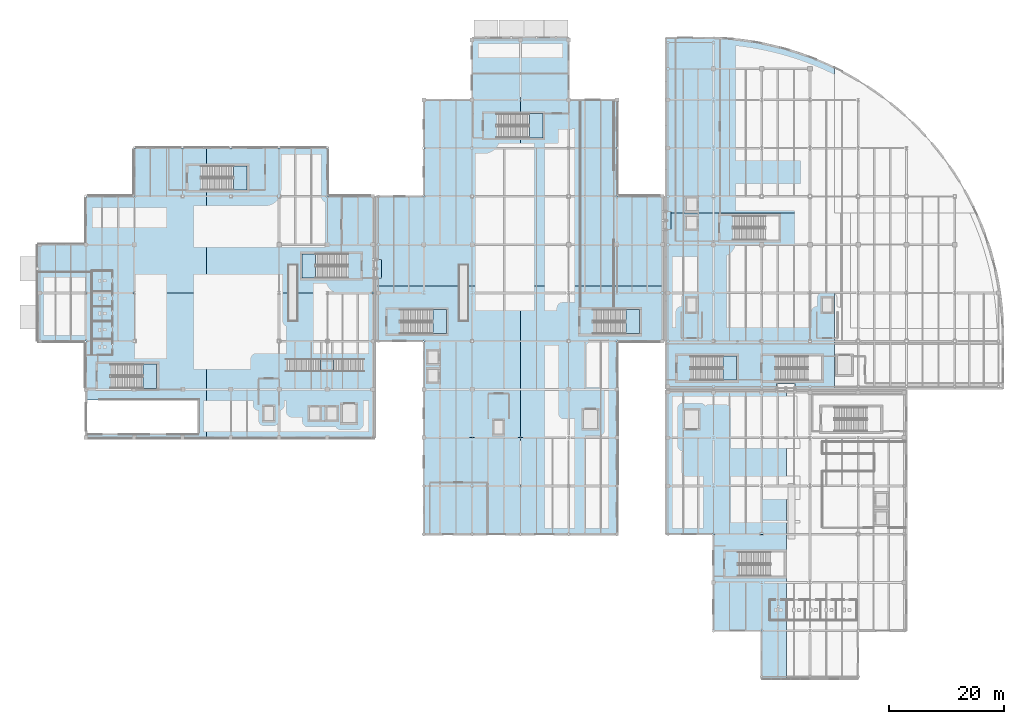
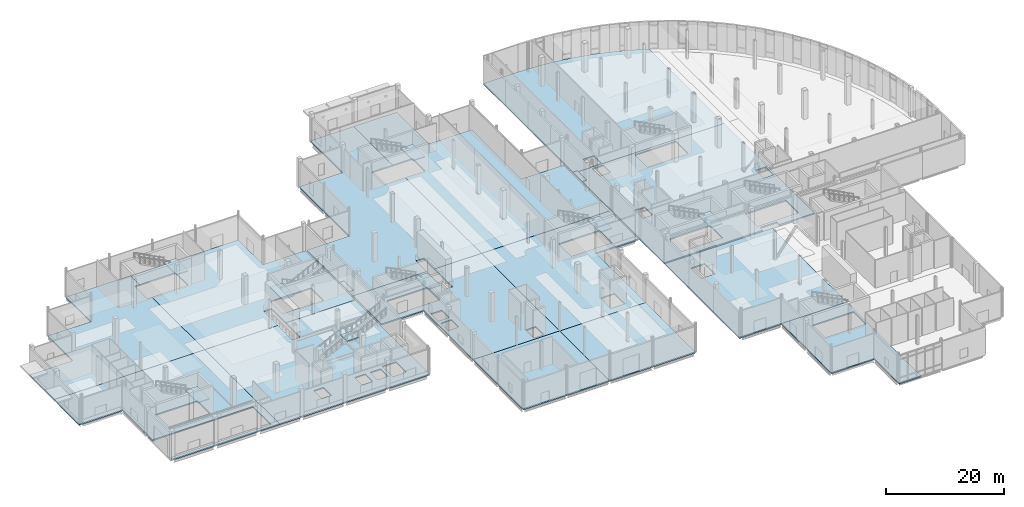
# One storey, part 40 of 85: 24 slabs, 8 elements without a shape of their own.
"""IFC4 building model written with IfcOpenShell, lengths in metres."""

import ifcopenshell
import ifcopenshell.guid

model = None  # the IFC model being written
_history = None  # IfcOwnerHistory: only IFC2X3 demands one
_inside = {}  # id of a spatial element -> (the spatial element, [elements in it])
_under = {}  # id of a project, library or spatial element -> (it, [spatial elements below it])
_declared = {}  # id of a project -> (the project, [libraries it declares])
_typed = {}  # id of a type object -> (the type object, [elements of that type])
_made_of = {}  # id of a material, layer set ... -> (it, [elements and type objects made of it])


def new_model(schema):
    """Start an empty IFC model of exactly this schema.

    Asked for "IFC4X3", IfcOpenShell would pick the latest addendum, in which some entities
    have other attributes; the version numbers below select the first issue.
    IFC2X3 requires an IfcOwnerHistory on every rooted entity: one is made here for all.
    """
    global model, _history
    if schema == "IFC4X3":
        model = ifcopenshell.file(schema_version=(4, 3, 0, 0))
    else:
        model = ifcopenshell.file(schema=schema)
    _inside.clear()
    _under.clear()
    _declared.clear()
    _typed.clear()
    _made_of.clear()
    _history = None
    if model.schema == "IFC2X3":
        org = make("IfcOrganization", Name="unknown")
        user = make(
            "IfcPersonAndOrganization",
            ThePerson=make("IfcPerson", FamilyName="unknown"),
            TheOrganization=org,
        )
        app = make(
            "IfcApplication",
            ApplicationDeveloper=org,
            Version="unknown",
            ApplicationFullName="unknown",
            ApplicationIdentifier="unknown",
        )
        _history = make(
            "IfcOwnerHistory",
            OwningUser=user,
            OwningApplication=app,
            ChangeAction="ADDED",
            CreationDate=0,
        )
    return model


def make(cls, **values):
    """One entity of the class cls with the attributes given. An attribute that is None is left unset."""
    return model.create_entity(
        cls, **{name: value for name, value in values.items() if value is not None}
    )


def rooted(cls, **values):
    """An entity with a GlobalId (a new one), such as an element, a storey or a relation."""
    return make(cls, GlobalId=ifcopenshell.guid.new(), OwnerHistory=_history, **values)


def si_unit(unit_type, name, prefix=None):
    """IfcSIUnit, for example si_unit("LENGTHUNIT", "METRE", prefix="MILLI")."""
    return make("IfcSIUnit", UnitType=unit_type, Prefix=prefix, Name=name)


def assignment(units):
    """IfcUnitAssignment: the units of a project."""
    return None if units is None else make("IfcUnitAssignment", Units=units)


def point(xyz):
    """IfcCartesianPoint."""
    return None if xyz is None else make("IfcCartesianPoint", Coordinates=xyz)


def direction(xyz):
    """IfcDirection."""
    return None if xyz is None else make("IfcDirection", DirectionRatios=xyz)


def frame(location, z_axis=None, x_axis=None):
    """IfcAxis2Placement3D, a coordinate frame: its origin and axes. An axis left out is left unset."""
    return make(
        "IfcAxis2Placement3D",
        Location=point(location),
        Axis=direction(z_axis),
        RefDirection=direction(x_axis),
    )


def origin():
    """The frame at (0, 0, 0) with its axes left unset."""
    return frame((0.0, 0.0, 0.0))


def place(relative_to, where):
    """IfcLocalPlacement: puts the frame where relative to a parent placement (None: the world)."""
    return make(
        "IfcLocalPlacement", PlacementRelTo=relative_to, RelativePlacement=where
    )


def context(
    kind, dimensions, precision=None, world=None, true_north=None, identifier=None
):
    """IfcGeometricRepresentationContext, for example the 3D "Model" context."""
    return make(
        "IfcGeometricRepresentationContext",
        ContextIdentifier=identifier,
        ContextType=kind,
        CoordinateSpaceDimension=dimensions,
        Precision=precision,
        WorldCoordinateSystem=world,
        TrueNorth=true_north,
    )


def subcontext(parent, identifier, kind, view, scale=None):
    """IfcGeometricRepresentationSubContext, for example "Body" below "Model"."""
    return make(
        "IfcGeometricRepresentationSubContext",
        ContextIdentifier=identifier,
        ContextType=kind,
        ParentContext=parent,
        TargetScale=scale,
        TargetView=view,
    )


def project(units=None, contexts=None):
    """IfcProject with its units and contexts."""
    return rooted(
        "IfcProject",
        Name="project",
        RepresentationContexts=contexts,
        UnitsInContext=assignment(units),
    )


def spatial(cls, under=None, at=None, **own):
    """A site, building, storey or space (cls), placed at a placement, below another one or the project."""
    s = rooted(cls, ObjectPlacement=at, **own)
    if under is not None:
        _under.setdefault(under.id(), (under, []))[1].append(s)
    return s


def polyline(points):
    """IfcPolyline through the points."""
    return make("IfcPolyline", Points=[point(p) for p in points])


def outline(outer, holes=None, kind="AREA"):
    """IfcArbitraryClosedProfileDef: a profile drawn as a closed curve; with holes, ...WithVoids."""
    if holes is None:
        return make("IfcArbitraryClosedProfileDef", ProfileType=kind, OuterCurve=outer)
    return make(
        "IfcArbitraryProfileDefWithVoids",
        ProfileType=kind,
        OuterCurve=outer,
        InnerCurves=holes,
    )


def extrude(swept, where, along, depth):
    """IfcExtrudedAreaSolid: the profile swept, set in the frame where, extruded along a direction by depth."""
    return make(
        "IfcExtrudedAreaSolid",
        SweptArea=swept,
        Position=where,
        ExtrudedDirection=direction(along),
        Depth=depth,
    )


def shape(context_of_items, identifier, shape_type, items):
    """IfcShapeRepresentation: the items that make up one representation, for example the "Body"."""
    return make(
        "IfcShapeRepresentation",
        ContextOfItems=context_of_items,
        RepresentationIdentifier=identifier,
        RepresentationType=shape_type,
        Items=items,
    )


def material(Name=None, Category=None):
    """IfcMaterial."""
    return make("IfcMaterial", Name=Name, Category=Category)


def layer(
    of_material, thickness, ventilated=None, Name=None, Category=None, Priority=None
):
    """IfcMaterialLayer: one layer of a wall or slab, of a material (None: an air gap)."""
    return make(
        "IfcMaterialLayer",
        Material=of_material,
        LayerThickness=thickness,
        IsVentilated=ventilated,
        Name=Name,
        Category=Category,
        Priority=Priority,
    )


def layer_set(layers, Name=None):
    """IfcMaterialLayerSet."""
    return make("IfcMaterialLayerSet", MaterialLayers=layers, LayerSetName=Name)


def made_of(thing, what):
    """Note that an element or type object is made of a material, layer set ...; save() writes the relation."""
    if what is not None:
        _made_of.setdefault(what.id(), (what, []))[1].append(thing)
    return thing


def type_object(cls, material=None, **own):
    """A type object (cls), such as IfcWallType, which elements share."""
    return made_of(rooted(cls, **own), material)


def element(
    cls,
    number,
    at=None,
    inside=None,
    cuts=None,
    type_object=None,
    material=None,
    context=None,
    identifier="Body",
    shape_type=None,
    held_by="IfcProductDefinitionShape",
    body=None,
    shapes=None,
    **own,
):
    """One element of the class cls, such as IfcWall. Its Tag is "e" and its number.

    at: its placement. inside: the storey or other place that contains it. cuts: it is an
    opening in that element (IfcRelVoidsElement). A single representation is given by context,
    identifier, shape_type and body (its items); several are given by shapes. held_by: the class
    of the entity that holds the representations. save() writes the other relations.
    """
    e = rooted(cls, Tag="e%d" % number, ObjectPlacement=at, **own)
    if body is not None:
        shapes = [shape(context, identifier, shape_type, body)]
    if shapes is not None:
        e.Representation = make(held_by, Representations=shapes)
    if inside is not None:
        _inside.setdefault(inside.id(), (inside, []))[1].append(e)
    if cuts is not None:
        rooted(
            "IfcRelVoidsElement", RelatingBuildingElement=cuts, RelatedOpeningElement=e
        )
    if type_object is not None:
        _typed.setdefault(type_object.id(), (type_object, []))[1].append(e)
    return made_of(e, material)


def aggregate(whole, parts):
    """IfcRelAggregates: a whole, such as a stair, and the parts it consists of."""
    return rooted("IfcRelAggregates", RelatingObject=whole, RelatedObjects=parts)


def save(model, path):
    """Write the relations noted so far, then the file.

    IfcRelAggregates (storeys below a building ...), IfcRelContainedInSpatialStructure (elements
    in a storey), IfcRelDefinesByType, IfcRelAssociatesMaterial and IfcRelDeclares: one each for
    every whole, place, type object, material and project.
    """
    for whole, parts in _under.values():
        aggregate(whole, parts)
    for where, things in _inside.values():
        rooted(
            "IfcRelContainedInSpatialStructure",
            RelatedElements=things,
            RelatingStructure=where,
        )
    for kind, things in _typed.values():
        rooted("IfcRelDefinesByType", RelatedObjects=things, RelatingType=kind)
    for what, things in _made_of.values():
        rooted("IfcRelAssociatesMaterial", RelatedObjects=things, RelatingMaterial=what)
    for by, libraries in _declared.values():
        rooted("IfcRelDeclares", RelatingContext=by, RelatedDefinitions=libraries)
    model.write(path)


model = new_model("IFC4")

# Units and contexts
model_context = context("Model", 3, precision=1e-05, world=origin(), true_north=direction((0.0, 1.0)))
body_context = subcontext(model_context, "Body", "Model", "MODEL_VIEW")
ifc_project = project(units=[si_unit("LENGTHUNIT", "METRE"), si_unit("AREAUNIT", "SQUARE_METRE"), si_unit("VOLUMEUNIT", "CUBIC_METRE"), si_unit("PLANEANGLEUNIT", "RADIAN"), si_unit("MASSUNIT", "GRAM", prefix="KILO"), si_unit("THERMODYNAMICTEMPERATUREUNIT", "KELVIN")], contexts=[model_context])

# Site, building, storey
site_placement = place(None, origin())
site = spatial("IfcSite", under=ifc_project, at=site_placement, CompositionType="ELEMENT")
building_placement = place(site_placement, origin())
building = spatial("IfcBuilding", under=site, at=building_placement, Name="Lustrewick Department Store", CompositionType="ELEMENT")
storey_placement = place(building_placement, origin())
storey = spatial("IfcBuildingStorey", under=building, at=storey_placement, Name="L01", CompositionType="ELEMENT", Elevation=0.0)

# Slabs
ifc_material_1 = material(Name="Concrete C30", Category="concrete")
ifc_layer_1 = layer(ifc_material_1, 0.260009765625, Name="Concrete C30")
ifc_layer_set_1 = layer_set([ifc_layer_1], Name="Concrete C30")
slab_type_1 = type_object("IfcSlabType", Name="FS01", PredefinedType="FLOOR", material=ifc_layer_set_1)
slab_1_placement = place(storey_placement, frame((0.0, 0.0, -0.260009765625)))
element("IfcSlab", 1, at=slab_1_placement, inside=storey, type_object=slab_type_1, Name="L01 V1 Floor Slab FS01", PredefinedType="FLOOR", context=body_context, shape_type="SweptSolid", body=[
    extrude(outline(polyline([(0.0, 67.199951171875), (0.0, 58.800048828125), (8.39990234375, 58.800048828125), (8.39990234375, 48.60009765625), (28.0, 48.60009765625), (28.0, 42.60009765625), (8.39990234375, 42.60009765625), (8.39990234375, 42.0), (29.324951171875, 42.0), (29.324951171875, 67.199951171875), (0.0, 67.199951171875)]), holes=[polyline([(20.699951171875, 50.60009765625), (12.719970703125, 50.60009765625), (12.719970703125, 54.800048828125), (20.699951171875, 54.800048828125), (20.699951171875, 50.60009765625)])]), origin(), (0.0, 0.0, 1.0), 0.260009765625),
])
slab_2_placement = place(storey_placement, frame((0.0, 0.0, -0.260009765625)))
element("IfcSlab", 2, at=slab_2_placement, inside=storey, type_object=slab_type_1, Name="L01 V1 Floor Slab FS01", PredefinedType="FLOOR", context=body_context, shape_type="SweptSolid", body=[
    extrude(outline(polyline([(58.64990234375, 42.0), (58.64990234375, 67.199951171875), (45.14990234375, 67.199951171875), (45.14990234375, 62.35009765625), (43.64990234375, 62.35009765625), (43.64990234375, 67.199951171875), (29.324951171875, 67.199951171875), (29.324951171875, 42.0), (58.64990234375, 42.0)]), holes=[polyline([(52.85009765625, 44.449951171875), (52.85009765625, 47.949951171875), (55.550048828125, 47.949951171875), (55.550048828125, 44.449951171875), (52.85009765625, 44.449951171875)]), polyline([(50.14990234375, 44.949951171875), (50.14990234375, 47.449951171875), (52.25, 47.449951171875), (52.25, 44.949951171875), (50.14990234375, 44.949951171875)]), polyline([(47.14990234375, 44.949951171875), (47.14990234375, 47.449951171875), (49.25, 47.449951171875), (49.25, 44.949951171875), (47.14990234375, 44.949951171875)]), polyline([(39.25, 44.85009765625), (39.25, 47.550048828125), (41.14990234375, 47.550048828125), (41.14990234375, 44.85009765625), (39.25, 44.85009765625)])]), origin(), (0.0, 0.0, 1.0), 0.260009765625),
])
slab_3_placement = place(storey_placement, frame((0.0, 0.0, -0.260009765625)))
element("IfcSlab", 3, at=slab_3_placement, inside=storey, type_object=slab_type_1, Name="L01 V1 Floor Slab FS01", PredefinedType="FLOOR", context=body_context, shape_type="SweptSolid", body=[
    extrude(outline(polyline([(0.0, 75.60009765625), (0.0, 67.199951171875), (29.324951171875, 67.199951171875), (29.324951171875, 85.10009765625), (28.419921875, 85.10009765625), (28.419921875, 89.300048828125), (29.324951171875, 89.300048828125), (29.324951171875, 92.39990234375), (16.800048828125, 92.39990234375), (16.800048828125, 84.0), (8.39990234375, 84.0), (8.39990234375, 75.60009765625), (0.0, 75.60009765625)])), origin(), (0.0, 0.0, 1.0), 0.260009765625),
])
slab_4_placement = place(storey_placement, frame((0.0, 0.0, -0.260009765625)))
element("IfcSlab", 4, at=slab_4_placement, inside=storey, type_object=slab_type_1, Name="L01 V1 Floor Slab FS01", PredefinedType="FLOOR", context=body_context, shape_type="SweptSolid", body=[
    extrude(outline(polyline([(50.39990234375, 92.39990234375), (29.324951171875, 92.39990234375), (29.324951171875, 89.300048828125), (36.39990234375, 89.300048828125), (36.39990234375, 85.10009765625), (29.324951171875, 85.10009765625), (29.324951171875, 67.199951171875), (43.64990234375, 67.199951171875), (43.64990234375, 72.050048828125), (45.14990234375, 72.050048828125), (45.14990234375, 67.199951171875), (58.64990234375, 67.199951171875), (58.64990234375, 84.0), (50.39990234375, 84.0), (50.39990234375, 92.39990234375)]), holes=[polyline([(46.0, 69.800048828125), (46.0, 74.0), (53.97998046875, 74.0), (53.97998046875, 69.800048828125), (46.0, 69.800048828125)])]), origin(), (0.0, 0.0, 1.0), 0.260009765625),
])
slab_5_placement = place(storey_placement, frame((0.0, 0.0, -0.260009765625)))
element("IfcSlab", 5, at=slab_5_placement, inside=storey, type_object=slab_type_1, Name="L01 V2 Floor Slab FS01", PredefinedType="FLOOR", context=body_context, shape_type="SweptSolid", body=[
    extrude(outline(polyline([(67.199951171875, 58.800048828125), (67.199951171875, 42.0), (84.0, 42.0), (84.0, 68.39990234375), (74.85009765625, 68.39990234375), (74.85009765625, 62.35009765625), (73.35009765625, 62.35009765625), (73.35009765625, 68.39990234375), (58.949951171875, 68.39990234375), (58.949951171875, 58.800048828125), (67.199951171875, 58.800048828125)]), holes=[polyline([(81.14990234375, 42.449951171875), (79.25, 42.449951171875), (79.25, 45.14990234375), (81.14990234375, 45.14990234375), (81.14990234375, 42.449951171875)]), polyline([(63.1201171875, 60.10009765625), (63.1201171875, 64.300048828125), (71.10009765625, 64.300048828125), (71.10009765625, 60.10009765625), (63.1201171875, 60.10009765625)]), polyline([(67.75, 51.550048828125), (67.75, 54.050048828125), (69.85009765625, 54.050048828125), (69.85009765625, 51.550048828125), (67.75, 51.550048828125)]), polyline([(67.75, 54.75), (67.75, 57.25), (69.85009765625, 57.25), (69.85009765625, 54.75), (67.75, 54.75)])]), origin(), (0.0, 0.0, 1.0), 0.260009765625),
])
slab_6_placement = place(storey_placement, frame((0.0, 0.0, -0.260009765625)))
element("IfcSlab", 6, at=slab_6_placement, inside=storey, type_object=slab_type_1, Name="L01 V2 Floor Slab FS01", PredefinedType="FLOOR", context=body_context, shape_type="SweptSolid", body=[
    extrude(outline(polyline([(84.0, 68.39990234375), (84.0, 42.0), (100.800048828125, 42.0), (100.800048828125, 58.800048828125), (109.050048828125, 58.800048828125), (109.050048828125, 68.39990234375), (84.0, 68.39990234375)]), holes=[polyline([(96.719970703125, 60.10009765625), (96.719970703125, 64.300048828125), (104.699951171875, 64.300048828125), (104.699951171875, 60.10009765625), (96.719970703125, 60.10009765625)]), polyline([(94.85009765625, 43.449951171875), (94.85009765625, 46.949951171875), (97.550048828125, 46.949951171875), (97.550048828125, 43.449951171875), (94.85009765625, 43.449951171875)])]), origin(), (0.0, 0.0, 1.0), 0.260009765625),
])
slab_7_placement = place(storey_placement, frame((0.0, 0.0, -0.260009765625)))
element("IfcSlab", 7, at=slab_7_placement, inside=storey, type_object=slab_type_1, Name="L01 V2 Floor Slab FS01", PredefinedType="FLOOR", context=body_context, shape_type="SweptSolid", body=[
    extrude(outline(polyline([(58.949951171875, 84.0), (58.949951171875, 73.0048828125), (59.8349609375, 73.0048828125), (59.8349609375, 69.794921875), (58.949951171875, 69.794921875), (58.949951171875, 68.39990234375), (73.35009765625, 68.39990234375), (73.35009765625, 72.050048828125), (74.85009765625, 72.050048828125), (74.85009765625, 68.39990234375), (84.0, 68.39990234375), (84.0, 94.199951171875), (79.919921875, 94.199951171875), (79.919921875, 98.39990234375), (84.0, 98.39990234375), (84.0, 111.60009765625), (75.60009765625, 111.60009765625), (75.60009765625, 100.800048828125), (67.199951171875, 100.800048828125), (67.199951171875, 84.0), (58.949951171875, 84.0)])), origin(), (0.0, 0.0, 1.0), 0.260009765625),
])
slab_8_placement = place(storey_placement, frame((0.0, 0.0, -0.260009765625)))
element("IfcSlab", 8, at=slab_8_placement, inside=storey, type_object=slab_type_1, Name="L01 V2 Floor Slab FS01", PredefinedType="FLOOR", context=body_context, shape_type="SweptSolid", body=[
    extrude(outline(polyline([(92.39990234375, 111.60009765625), (84.0, 111.60009765625), (84.0, 98.39990234375), (87.89990234375, 98.39990234375), (87.89990234375, 94.199951171875), (84.0, 94.199951171875), (84.0, 68.39990234375), (109.050048828125, 68.39990234375), (109.050048828125, 84.0), (100.800048828125, 84.0), (100.800048828125, 100.800048828125), (92.39990234375, 100.800048828125), (92.39990234375, 111.60009765625)])), origin(), (0.0, 0.0, 1.0), 0.260009765625),
])
slab_9_placement = place(storey_placement, frame((0.0, 0.0, -0.260009765625)))
element("IfcSlab", 9, at=slab_9_placement, inside=storey, type_object=slab_type_1, Name="L01 V3 Floor Slab FS01", PredefinedType="FLOOR", context=body_context, shape_type="SweptSolid", body=[
    extrude(outline(polyline([(126.0, 0.0), (130.27490234375, 0.0), (130.27490234375, 25.125), (117.60009765625, 25.125), (117.60009765625, 8.39990234375), (126.0, 8.39990234375), (126.0, 0.0)]), holes=[polyline([(129.89990234375, 17.89990234375), (121.919921875, 17.89990234375), (121.919921875, 22.10009765625), (129.89990234375, 22.10009765625), (129.89990234375, 17.89990234375)])]), origin(), (0.0, 0.0, 1.0), 0.260009765625),
])
slab_10_placement = place(storey_placement, frame((0.0, 0.0, -0.260009765625)))
element("IfcSlab", 10, at=slab_10_placement, inside=storey, type_object=slab_type_1, Name="L01 V3 Floor Slab FS01", PredefinedType="FLOOR", context=body_context, shape_type="SweptSolid", body=[
    extrude(outline(polyline([(117.60009765625, 25.199951171875), (117.60009765625, 25.125), (130.27490234375, 25.125), (130.27490234375, 50.25), (109.35009765625, 50.25), (109.35009765625, 25.199951171875), (117.60009765625, 25.199951171875)]), holes=[polyline([(112.449951171875, 43.449951171875), (112.449951171875, 46.949951171875), (115.14990234375, 46.949951171875), (115.14990234375, 43.449951171875), (112.449951171875, 43.449951171875)])]), origin(), (0.0, 0.0, 1.0), 0.260009765625),
])
slab_11_placement = place(storey_placement, frame((0.0, 0.0, -0.260009765625)))
element("IfcSlab", 11, at=slab_11_placement, inside=storey, type_object=slab_type_1, Name="L01 V4 Floor Slab FS01", PredefinedType="FLOOR", context=body_context, shape_type="SweptSolid", body=[
    extrude(outline(polyline([(109.35009765625, 50.550048828125), (128.594970703125, 50.550048828125), (128.594970703125, 51.43505859375), (131.804931640625, 51.43505859375), (131.804931640625, 50.550048828125), (138.675048828125, 50.550048828125), (138.675048828125, 81.074951171875), (110.235107421875, 81.074951171875), (110.235107421875, 78.195068359375), (109.35009765625, 78.195068359375), (109.35009765625, 50.550048828125)]), holes=[polyline([(136.449951171875, 63.75), (136.449951171875, 66.449951171875), (138.35009765625, 66.449951171875), (138.35009765625, 63.75), (136.449951171875, 63.75)]), polyline([(128.419921875, 52.0), (128.419921875, 56.199951171875), (136.39990234375, 56.199951171875), (136.39990234375, 52.0), (128.419921875, 52.0)]), polyline([(121.02001953125, 76.39990234375), (121.02001953125, 80.60009765625), (129.0, 80.60009765625), (129.0, 76.39990234375), (121.02001953125, 76.39990234375)]), polyline([(113.6201171875, 52.0), (113.6201171875, 56.199951171875), (121.60009765625, 56.199951171875), (121.60009765625, 52.0), (113.6201171875, 52.0)]), polyline([(112.75, 78.14990234375), (112.75, 80.64990234375), (114.85009765625, 80.64990234375), (114.85009765625, 78.14990234375), (112.75, 78.14990234375)]), polyline([(112.85009765625, 63.75), (112.85009765625, 66.449951171875), (114.75, 66.449951171875), (114.75, 63.75), (112.85009765625, 63.75)])]), origin(), (0.0, 0.0, 1.0), 0.260009765625),
])
slab_12_placement = place(storey_placement, frame((0.0, 0.0, -0.260009765625)))
element("IfcSlab", 12, at=slab_12_placement, inside=storey, type_object=slab_type_1, Name="L01 V4 Floor Slab FS01", PredefinedType="FLOOR", context=body_context, shape_type="SweptSolid", body=[
    extrude(outline(polyline([(110.235107421875, 81.405029296875), (110.235107421875, 81.074951171875), (138.675048828125, 81.074951171875), (138.675048828125, 106.393798828125), (138.56201171875, 106.450439453125), (137.048583984375, 107.1494140625), (135.513916015625, 107.7998046875), (133.958984375, 108.400390625), (132.385498046875, 108.950927734375), (130.79541015625, 109.45068359375), (129.18994140625, 109.8994140625), (127.571044921875, 110.29638671875), (125.940185546875, 110.64111328125), (124.29931640625, 110.93359375), (122.649658203125, 111.173095703125), (120.9931640625, 111.359619140625), (119.331787109375, 111.4931640625), (117.666748046875, 111.5732421875), (116.0, 111.60009765625), (109.35009765625, 111.60009765625), (109.35009765625, 81.405029296875), (110.235107421875, 81.405029296875)]), holes=[polyline([(112.75, 81.35009765625), (112.75, 83.85009765625), (114.85009765625, 83.85009765625), (114.85009765625, 81.35009765625), (112.75, 81.35009765625)])]), origin(), (0.0, 0.0, 1.0), 0.260009765625),
])
ifc_layer_2 = layer(ifc_material_1, 0.27001953125, Name="Concrete C30")
ifc_layer_set_2 = layer_set([ifc_layer_2], Name="Concrete C30")
slab_type_2 = type_object("IfcSlabType", Name="FS09", PredefinedType="FLOOR", material=ifc_layer_set_2)
slab_13_placement = place(storey_placement, frame((0.0, 0.0, -0.27001953125)))
element("IfcSlab", 13, at=slab_13_placement, inside=storey, type_object=slab_type_2, Name="L01 V2 Loading Dock Slab FS09", PredefinedType="FLOOR", context=body_context, shape_type="SweptSolid", body=[
    extrude(outline(polyline([(67.199951171875, 25.199951171875), (84.0, 25.199951171875), (84.0, 42.0), (67.199951171875, 42.0), (67.199951171875, 25.199951171875)])), origin(), (0.0, 0.0, 1.0), 0.27001953125),
])
slab_14_placement = place(storey_placement, frame((0.0, 0.0, -0.27001953125)))
element("IfcSlab", 14, at=slab_14_placement, inside=storey, type_object=slab_type_2, Name="L01 V2 Loading Dock Slab FS09", PredefinedType="FLOOR", context=body_context, shape_type="SweptSolid", body=[
    extrude(outline(polyline([(84.0, 25.199951171875), (100.800048828125, 25.199951171875), (100.800048828125, 42.0), (84.0, 42.0), (84.0, 25.199951171875)])), origin(), (0.0, 0.0, 1.0), 0.27001953125),
])
ifc_layer_3 = layer(ifc_material_1, 0.215087890625, Name="Concrete C30")
ifc_layer_set_3 = layer_set([ifc_layer_3], Name="Concrete C30")
slab_type_3 = type_object("IfcSlabType", Name="FS10", PredefinedType="FLOOR", material=ifc_layer_set_3)
slab_15_placement = place(storey_placement, frame((0.0, 0.0, -0.215087890625)))
element("IfcSlab", 15, at=slab_15_placement, inside=storey, type_object=slab_type_3, Name="L01 Skybridge SB12 Deck Slab", PredefinedType="FLOOR", context=body_context, shape_type="SweptSolid", body=[
    extrude(outline(polyline([(59.830078125, 69.800048828125), (59.830078125, 73.0), (58.955078125, 73.0), (58.955078125, 69.800048828125), (59.830078125, 69.800048828125)])), origin(), (0.0, 0.0, 1.0), 0.215087890625),
])
slab_16_placement = place(storey_placement, frame((0.0, 0.0, -0.215087890625)))
element("IfcSlab", 16, at=slab_16_placement, inside=storey, type_object=slab_type_3, Name="L01 Skybridge SB24 Deck Slab", PredefinedType="FLOOR", context=body_context, shape_type="SweptSolid", body=[
    extrude(outline(polyline([(110.22998046875, 78.199951171875), (110.22998046875, 81.39990234375), (109.35498046875, 81.39990234375), (109.35498046875, 78.199951171875), (110.22998046875, 78.199951171875)])), origin(), (0.0, 0.0, 1.0), 0.215087890625),
])

# Stair, slab
stair_type_1 = type_object("IfcStairType", Name="ST-H60", PredefinedType="HALF_TURN_STAIR", material=ifc_material_1)
stair_1_placement = place(storey_placement, origin())
stair_1 = element("IfcStair", 17, at=stair_1_placement, inside=storey, type_object=stair_type_1, Name="L01 Smoke-Proof Exit Stair ST01", PredefinedType="HALF_TURN_STAIR")
ifc_layer_4 = layer(ifc_material_1, 0.199951171875, Name="Concrete C30")
ifc_layer_set_4 = layer_set([ifc_layer_4], Name="Concrete C30")
slab_type_4 = type_object("IfcSlabType", Name="LS01", PredefinedType="LANDING", material=ifc_layer_set_4)
slab_17_placement = place(storey_placement, frame((0.0, 0.0, 2.800048828125)))
slab_17 = element("IfcSlab", 18, at=slab_17_placement, type_object=slab_type_4, Name="ST-H60 landing 1", PredefinedType="LANDING", context=body_context, shape_type="SweptSolid", body=[
    extrude(outline(polyline([(18.35009765625, 50.60009765625), (20.699951171875, 50.60009765625), (20.699951171875, 54.800048828125), (18.35009765625, 54.800048828125), (18.35009765625, 50.60009765625)])), origin(), (0.0, 0.0, 1.0), 0.199951171875),
])
aggregate(stair_1, [slab_17])

stair_2_placement = place(storey_placement, origin())
stair_2 = element("IfcStair", 19, at=stair_2_placement, inside=storey, type_object=stair_type_1, Name="L01 Smoke-Proof Exit Stair ST02", PredefinedType="HALF_TURN_STAIR")
slab_18_placement = place(storey_placement, frame((0.0, 0.0, 2.800048828125)))
slab_18 = element("IfcSlab", 20, at=slab_18_placement, type_object=slab_type_4, Name="ST-H60 landing 1", PredefinedType="LANDING", context=body_context, shape_type="SweptSolid", body=[
    extrude(outline(polyline([(48.35009765625, 74.0), (46.0, 74.0), (46.0, 69.800048828125), (48.35009765625, 69.800048828125), (48.35009765625, 74.0)])), origin(), (0.0, 0.0, 1.0), 0.199951171875),
])
aggregate(stair_2, [slab_18])

stair_3_placement = place(storey_placement, origin())
stair_3 = element("IfcStair", 21, at=stair_3_placement, inside=storey, type_object=stair_type_1, Name="L01 Smoke-Proof Exit Stair ST03", PredefinedType="HALF_TURN_STAIR")
slab_19_placement = place(storey_placement, frame((0.0, 0.0, 2.800048828125)))
slab_19 = element("IfcSlab", 22, at=slab_19_placement, type_object=slab_type_4, Name="ST-H60 landing 1", PredefinedType="LANDING", context=body_context, shape_type="SweptSolid", body=[
    extrude(outline(polyline([(34.050048828125, 85.10009765625), (36.39990234375, 85.10009765625), (36.39990234375, 89.300048828125), (34.050048828125, 89.300048828125), (34.050048828125, 85.10009765625)])), origin(), (0.0, 0.0, 1.0), 0.199951171875),
])
aggregate(stair_3, [slab_19])

stair_4_placement = place(storey_placement, origin())
stair_4 = element("IfcStair", 23, at=stair_4_placement, inside=storey, type_object=stair_type_1, Name="L01 Smoke-Proof Exit Stair ST04", PredefinedType="HALF_TURN_STAIR")
slab_20_placement = place(storey_placement, frame((0.0, 0.0, 2.800048828125)))
slab_20 = element("IfcSlab", 24, at=slab_20_placement, type_object=slab_type_4, Name="ST-H60 landing 1", PredefinedType="LANDING", context=body_context, shape_type="SweptSolid", body=[
    extrude(outline(polyline([(68.75, 60.10009765625), (71.10009765625, 60.10009765625), (71.10009765625, 64.300048828125), (68.75, 64.300048828125), (68.75, 60.10009765625)])), origin(), (0.0, 0.0, 1.0), 0.199951171875),
])
aggregate(stair_4, [slab_20])

stair_5_placement = place(storey_placement, origin())
stair_5 = element("IfcStair", 25, at=stair_5_placement, inside=storey, type_object=stair_type_1, Name="L01 Smoke-Proof Exit Stair ST05", PredefinedType="HALF_TURN_STAIR")
slab_21_placement = place(storey_placement, frame((0.0, 0.0, 2.800048828125)))
slab_21 = element("IfcSlab", 26, at=slab_21_placement, type_object=slab_type_4, Name="ST-H60 landing 1", PredefinedType="LANDING", context=body_context, shape_type="SweptSolid", body=[
    extrude(outline(polyline([(102.35009765625, 60.10009765625), (104.699951171875, 60.10009765625), (104.699951171875, 64.300048828125), (102.35009765625, 64.300048828125), (102.35009765625, 60.10009765625)])), origin(), (0.0, 0.0, 1.0), 0.199951171875),
])
aggregate(stair_5, [slab_21])

stair_6_placement = place(storey_placement, origin())
stair_6 = element("IfcStair", 27, at=stair_6_placement, inside=storey, type_object=stair_type_1, Name="L01 Smoke-Proof Exit Stair ST06", PredefinedType="HALF_TURN_STAIR")
slab_22_placement = place(storey_placement, frame((0.0, 0.0, 2.800048828125)))
slab_22 = element("IfcSlab", 28, at=slab_22_placement, type_object=slab_type_4, Name="ST-H60 landing 1", PredefinedType="LANDING", context=body_context, shape_type="SweptSolid", body=[
    extrude(outline(polyline([(85.550048828125, 94.199951171875), (87.89990234375, 94.199951171875), (87.89990234375, 98.39990234375), (85.550048828125, 98.39990234375), (85.550048828125, 94.199951171875)])), origin(), (0.0, 0.0, 1.0), 0.199951171875),
])
aggregate(stair_6, [slab_22])

stair_7_placement = place(storey_placement, origin())
stair_7 = element("IfcStair", 29, at=stair_7_placement, inside=storey, type_object=stair_type_1, Name="L01 Smoke-Proof Exit Stair ST09", PredefinedType="HALF_TURN_STAIR")
slab_23_placement = place(storey_placement, frame((0.0, 0.0, 2.800048828125)))
slab_23 = element("IfcSlab", 30, at=slab_23_placement, type_object=slab_type_4, Name="ST-H60 landing 1", PredefinedType="LANDING", context=body_context, shape_type="SweptSolid", body=[
    extrude(outline(polyline([(119.25, 52.0), (121.60009765625, 52.0), (121.60009765625, 56.199951171875), (119.25, 56.199951171875), (119.25, 52.0)])), origin(), (0.0, 0.0, 1.0), 0.199951171875),
])
aggregate(stair_7, [slab_23])

ifc_material_2 = material(Name="Structural steel S355 (Q355B)", Category="steel")
stair_type_2 = type_object("IfcStairType", Name="AST01", PredefinedType="STRAIGHT_RUN_STAIR", material=ifc_material_2)
stair_8_placement = place(storey_placement, origin())
stair_8 = element("IfcStair", 31, at=stair_8_placement, inside=storey, type_object=stair_type_2, Name="L01 Architectural Feature Stair AST01", PredefinedType="STRAIGHT_RUN_STAIR")
slab_24_placement = place(storey_placement, frame((0.0, 0.0, 2.949951171875)))
slab_24 = element("IfcSlab", 32, at=slab_24_placement, type_object=slab_type_4, Name="AST01 landing 1", PredefinedType="LANDING", context=body_context, shape_type="SweptSolid", body=[
    extrude(outline(polyline([(51.469970703125, 53.5), (51.469970703125, 55.699951171875), (49.1298828125, 55.699951171875), (49.1298828125, 53.5), (51.469970703125, 53.5)])), origin(), (0.0, 0.0, 1.0), 0.199951171875),
])
aggregate(stair_8, [slab_24])

save(model, "model.ifc")
